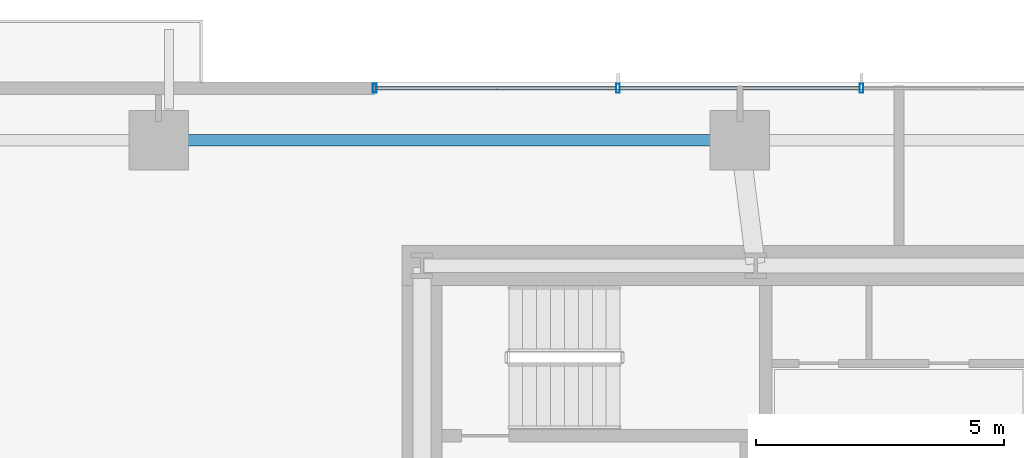
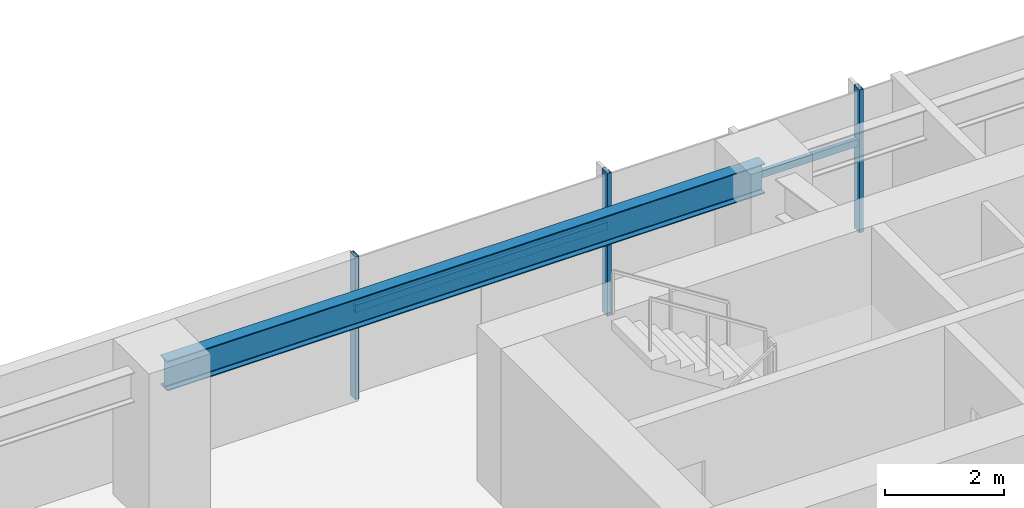
# One storey, part 10 of 25: 5 members, 1 beam, 1 element without a shape of its own.
"""IFC4 building model written with IfcOpenShell, lengths in metres."""

from ifc_helpers import new_model, si_unit, direction, frame, origin, origin_2d, place, context, subcontext, project, spatial, hollow_rectangle, i_section, extrude, source, transform, mapped, material, material_profile, profile_set, type_object, type_shapes, element, aggregate, save


model = new_model("IFC4")

# Units and contexts
model_context = context("Model", 3, precision=1e-05, world=origin(), true_north=direction((0.0, 1.0)))
body_context = subcontext(model_context, "Body", "Model", "MODEL_VIEW")
ifc_project = project(units=[si_unit("LENGTHUNIT", "METRE"), si_unit("AREAUNIT", "SQUARE_METRE"), si_unit("VOLUMEUNIT", "CUBIC_METRE"), si_unit("PLANEANGLEUNIT", "RADIAN"), si_unit("MASSUNIT", "GRAM", prefix="KILO")], contexts=[model_context])

# Site, building, storey
site_placement = place(None, origin())
site = spatial("IfcSite", under=ifc_project, at=site_placement, CompositionType="ELEMENT")
building_placement = place(site_placement, origin())
building = spatial("IfcBuilding", under=site, at=building_placement, Name="Astriad Promenade Condominiums", CompositionType="ELEMENT")
storey_placement = place(building_placement, frame((0.0, 0.0, 45.39990234375)))
storey = spatial("IfcBuildingStorey", under=building, at=storey_placement, Name="L12", CompositionType="ELEMENT", Elevation=45.39990234375)

# Beam
ifc_material_1 = material(Name="Steel ASTM A992 Grade 50", Category="steel")
ifc_material_profile_1 = material_profile(ifc_material_1, i_section(OverallWidth=0.22900390625, OverallDepth=0.612060546875, WebThickness=0.011962890625, FlangeThickness=0.01953125, FilletRadius=0.017822265625, at=origin_2d()), Name="W24X84")
ifc_profile_set_1 = profile_set([ifc_material_profile_1], Name="Steel ASTM A992 Grade 50")
beam_type = type_object("IfcBeamType", Name="STEEL SPANDREL BEAM W24X84", PredefinedType="SPANDREL", material=ifc_profile_set_1)
shared_shape_1 = source(origin(), body_context, "Body", "SweptSolid", [
    extrude(i_section(OverallWidth=0.22900390625, OverallDepth=0.612060546875, WebThickness=0.011962890625, FlangeThickness=0.01953125, FilletRadius=0.017822265625, at=origin_2d()), origin(), (0.0, 0.0, 1.0), 11.6201171875),
])
type_shapes(beam_type, [shared_shape_1])
beam_placement = place(storey_placement, frame((32.760009765625, 26.52001953125, 2.634033203125), z_axis=(-1.0, 0.0, 0.0), x_axis=(0.0, -1.0, 0.0)))
element("IfcBeam", 1, at=beam_placement, inside=storey, type_object=beam_type, Name="Perimeter Spandrel Beam SP-N2-L12", PredefinedType="SPANDREL", context=body_context, shape_type="MappedRepresentation", body=[
    mapped(shared_shape_1, transform((0.0, 0.0, 0.0), scale=1.0)),
])

# Curtain wall, members
ifc_material_2 = material(Name="Anodised aluminium Black Dark Glass Unitised", Category="aluminium")
curtain_wall_type = type_object("IfcCurtainWallType", Name="CW-B1-DARK", PredefinedType="USERDEFINED", material=ifc_material_2)
curtain_wall_placement = place(storey_placement, origin())
curtain_wall = element("IfcCurtainWall", 2, at=curtain_wall_placement, inside=storey, type_object=curtain_wall_type, Name="CW-L12-N", ObjectType="UNITISED_CURTAIN_WALL", PredefinedType="USERDEFINED")
ifc_material_3 = material(Name="Anodised aluminium 6063-T6 Black", Category="aluminium")
ifc_material_profile_2 = material_profile(ifc_material_3, hollow_rectangle(XDim=0.074951171875, YDim=0.14990234375, WallThickness=0.004150390625, at=origin_2d()), Name="ALU-TRN-75X150")
ifc_profile_set_2 = profile_set([ifc_material_profile_2], Name="Anodised aluminium 6063-T6 Black")
member_type_1 = type_object("IfcMemberType", Name="TRN-ALU-TRN-75X150", PredefinedType="USERDEFINED", material=ifc_profile_set_2)
shared_shape_2 = source(origin(), body_context, "Body", "SweptSolid", [
    extrude(hollow_rectangle(XDim=0.074951171875, YDim=0.14990234375, WallThickness=0.004150390625, at=origin_2d()), origin(), (0.0, 0.0, 1.0), 4.900146484375),
])
member_1_placement = place(storey_placement, frame((25.449951171875, 27.570068359375, 1.822998046875), z_axis=(1.0, 0.0, 0.0), x_axis=(0.0, 1.0, 0.0)))
member_1 = element("IfcMember", 3, at=member_1_placement, type_object=member_type_1, Name="CW-L12-N-TRN-00-0", ObjectType="TRANSOM", PredefinedType="USERDEFINED", context=body_context, shape_type="MappedRepresentation", body=[
    mapped(shared_shape_2, transform((0.0, 0.0, 0.0), scale=1.0)),
])
shared_shape_3 = source(origin(), body_context, "Body", "SweptSolid", [
    extrude(hollow_rectangle(XDim=0.074951171875, YDim=0.14990234375, WallThickness=0.004150390625, at=origin_2d()), origin(), (0.0, 0.0, 1.0), 4.89990234375),
])
type_shapes(member_type_1, [shared_shape_2, shared_shape_3])
member_2_placement = place(storey_placement, frame((30.35009765625, 27.570068359375, 1.822998046875), z_axis=(1.0, 0.0, 0.0), x_axis=(0.0, 1.0, 0.0)))
member_2 = element("IfcMember", 4, at=member_2_placement, type_object=member_type_1, Name="CW-L12-N-TRN-01-0", ObjectType="TRANSOM", PredefinedType="USERDEFINED", context=body_context, shape_type="MappedRepresentation", body=[
    mapped(shared_shape_3, transform((0.0, 0.0, 0.0), scale=1.0)),
])
ifc_material_profile_3 = material_profile(ifc_material_3, hollow_rectangle(XDim=0.074951171875, YDim=0.18505859375, WallThickness=0.00439453125, at=origin_2d()), Name="ALU-MUL-75X185")
ifc_profile_set_3 = profile_set([ifc_material_profile_3], Name="Anodised aluminium 6063-T6 Black")
member_type_2 = type_object("IfcMemberType", Name="MUL-ALU-MUL-75X185", PredefinedType="MULLION", material=ifc_profile_set_3)
shared_shape_4 = source(origin(), body_context, "Body", "SweptSolid", [
    extrude(hollow_rectangle(XDim=0.074951171875, YDim=0.18505859375, WallThickness=0.00439453125, at=origin_2d()), origin(), (0.0, 0.0, 1.0), 2.940185546875),
])
type_shapes(member_type_2, [shared_shape_4])
member_3_placement = place(storey_placement, frame((25.449951171875, 27.570068359375, 0.0), z_axis=(0.0, 0.0, 1.0), x_axis=(1.0, 0.0, 0.0)))
member_3 = element("IfcMember", 5, at=member_3_placement, type_object=member_type_2, Name="CW-L12-N-MUL-00", PredefinedType="MULLION", context=body_context, shape_type="MappedRepresentation", body=[
    mapped(shared_shape_4, transform((0.0, 0.0, 0.0), scale=1.0)),
])
member_4_placement = place(storey_placement, frame((30.35009765625, 27.570068359375, 0.0), z_axis=(0.0, 0.0, 1.0), x_axis=(1.0, 0.0, 0.0)))
member_4 = element("IfcMember", 6, at=member_4_placement, type_object=member_type_2, Name="CW-L12-N-MUL-01", PredefinedType="MULLION", context=body_context, shape_type="MappedRepresentation", body=[
    mapped(shared_shape_4, transform((0.0, 0.0, 0.0), scale=1.0)),
])
member_5_placement = place(storey_placement, frame((35.25, 27.570068359375, 0.0), z_axis=(0.0, 0.0, 1.0), x_axis=(1.0, 0.0, 0.0)))
member_5 = element("IfcMember", 7, at=member_5_placement, type_object=member_type_2, Name="CW-L12-N-MUL-02", PredefinedType="MULLION", context=body_context, shape_type="MappedRepresentation", body=[
    mapped(shared_shape_4, transform((0.0, 0.0, 0.0), scale=1.0)),
])
aggregate(curtain_wall, [member_3, member_4, member_5, member_1, member_2])

save(model, "model.ifc")
